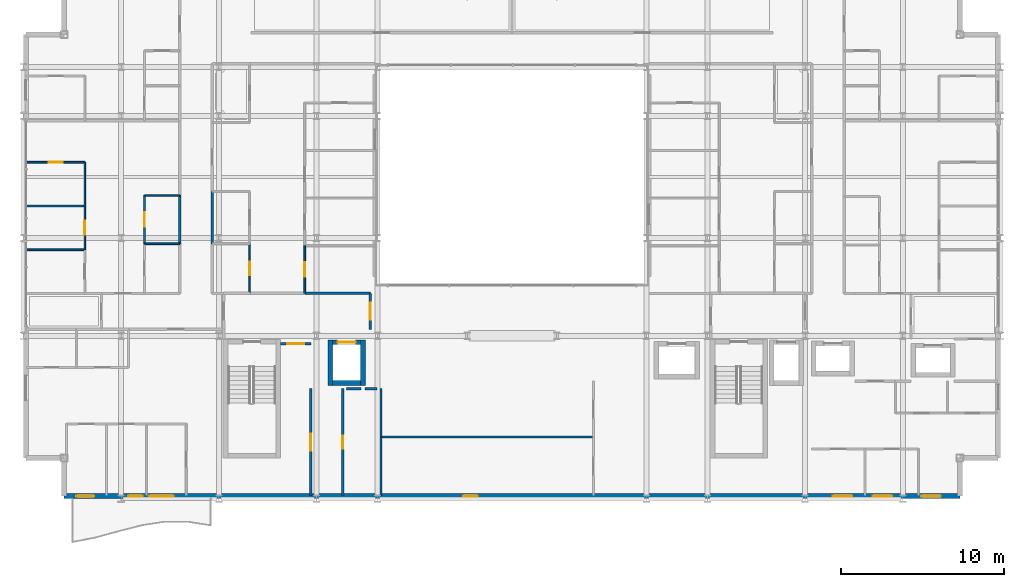
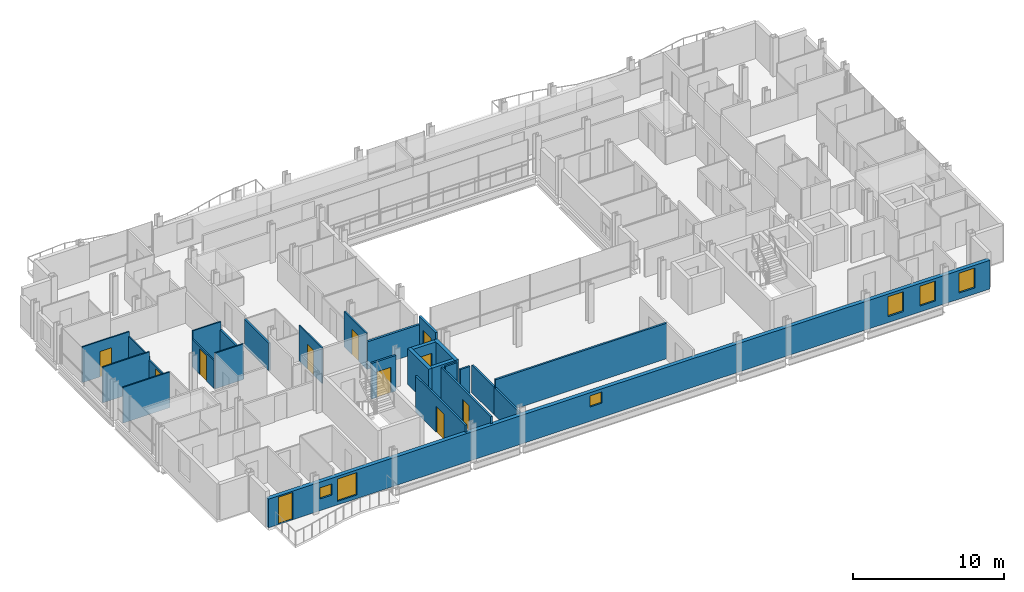
# One storey, part 32 of 41: 27 walls, 11 doors, 6 windows, 17 openings.
"""IFC4 building model written with IfcOpenShell, lengths in metres."""

from ifc_helpers import new_model, si_unit, direction, frame, frame_2d, origin, place, context, subcontext, project, spatial, rectangle, extrude, material, layer, layer_set, type_object, element, fill, save


model = new_model("IFC4")

# Units and contexts
model_context = context("Model", 3, precision=1e-05, world=origin(), true_north=direction((0.0, 1.0)))
body_context = subcontext(model_context, "Body", "Model", "MODEL_VIEW")
ifc_project = project(units=[si_unit("LENGTHUNIT", "METRE"), si_unit("AREAUNIT", "SQUARE_METRE"), si_unit("VOLUMEUNIT", "CUBIC_METRE"), si_unit("PLANEANGLEUNIT", "RADIAN"), si_unit("MASSUNIT", "GRAM", prefix="KILO")], contexts=[model_context])

# Site, building, storey
site_placement = place(None, origin())
site = spatial("IfcSite", under=ifc_project, at=site_placement, CompositionType="ELEMENT")
building_placement = place(site_placement, origin())
building = spatial("IfcBuilding", under=site, at=building_placement, Name="Brevholm Reach", CompositionType="ELEMENT")
storey_placement = place(building_placement, frame((0.0, 0.0, 74.5)))
storey = spatial("IfcBuildingStorey", under=building, at=storey_placement, Name="L21", CompositionType="ELEMENT", Elevation=74.5)

# Walls
ifc_material_1 = material(Name="Concrete C50/60", Category="concrete")
ifc_layer_1 = layer(ifc_material_1, 0.280029296875)
ifc_layer_set_1 = layer_set([ifc_layer_1], Name="Concrete C50/60")
wall_type_1 = type_object("IfcWallType", Name="WAL-COR-280", PredefinedType="SHEAR", material=ifc_layer_set_1)
for number, where, z_axis, x_axis, name in (
    (1, (18.85009765625, 6.9599609375, 0.0), (0.0, 0.0, 1.0), (0.0, 1.0, 0.0), "L21 Lift FFL-1 Shaft Wall W"),
    (2, (20.85009765625, 6.9599609375, 0.0), (0.0, 0.0, 1.0), (0.0, 1.0, 0.0), "L21 Lift FFL-1 Shaft Wall E"),
):
    element("IfcWall", number, at=place(storey_placement, frame(where, z_axis=z_axis, x_axis=x_axis)), inside=storey, type_object=wall_type_1, Name=name, PredefinedType="SHEAR", context=body_context, shape_type="SweptSolid", body=[
        extrude(rectangle(XDim=2.780029296875, YDim=0.280029296875, at=frame_2d((1.39013671875, 0.0))), origin(), (0.0, 0.0, 1.0), 2.8701171875),
    ])
wall_1_placement = place(storey_placement, frame((18.989990234375, 7.10009765625, 0.0), z_axis=(0.0, 0.0, 1.0), x_axis=(1.0, 0.0, 0.0)))
element("IfcWall", 3, at=wall_1_placement, inside=storey, type_object=wall_type_1, Name="L21 Lift FFL-1 Shaft Wall S", PredefinedType="SHEAR", context=body_context, shape_type="SweptSolid", body=[
    extrude(rectangle(XDim=1.719970703125, YDim=0.280029296875, at=frame_2d((0.85986328125, 0.0))), origin(), (0.0, 0.0, 1.0), 2.8701171875),
])

# Wall, opening, door
wall_2_placement = place(storey_placement, frame((18.989990234375, 9.60009765625, 0.0), z_axis=(0.0, 0.0, 1.0), x_axis=(1.0, 0.0, 0.0)))
wall_2 = element("IfcWall", 4, at=wall_2_placement, inside=storey, type_object=wall_type_1, Name="L21 Lift FFL-1 Shaft Wall N", PredefinedType="SHEAR", context=body_context, shape_type="SweptSolid", body=[
    extrude(rectangle(XDim=1.719970703125, YDim=0.280029296875, at=frame_2d((0.85986328125, 0.0))), origin(), (0.0, 0.0, 1.0), 2.8701171875),
])
opening_1_placement = place(wall_2_placement, frame((0.31005859375, 0.0, 0.0)))
opening_1 = element("IfcOpeningElement", 5, at=opening_1_placement, cuts=wall_2, Name="Opening LD-FFL-1", PredefinedType="OPENING", context=body_context, shape_type="SweptSolid", body=[
    extrude(rectangle(XDim=1.10009765625, YDim=2.06005859375, at=frame_2d((0.550048828125, 1.030029296875))), frame((0.0, 0.14990234375, 0.0), z_axis=(0.0, -1.0, 0.0), x_axis=(1.0, 0.0, 0.0)), (0.0, 0.0, 1.0), 0.300048828125),
])
ifc_material_2 = material(Name="Brushed Stainless Steel Fire-Rated Sliding Lift Door", Category="steel")
door_type_1 = type_object("IfcDoorType", Name="DOR-LFT-1100", OperationType="NOTDEFINED", PredefinedType="DOOR", material=ifc_material_2)
door_1_placement = place(opening_1_placement, origin())
door_1 = element("IfcDoor", 6, at=door_1_placement, inside=storey, type_object=door_type_1, Name="L21 Lift FFL-1 Sliding Landing Door", OperationType="SLIDING_TO_LEFT", OverallHeight=2.06005859375, OverallWidth=1.10009765625, PredefinedType="DOOR", context=body_context, shape_type="SweptSolid", body=[
    extrude(rectangle(XDim=1.10009765625, YDim=2.06005859375, at=frame_2d((0.550048828125, 1.030029296875))), frame((0.0, 0.02490234375, 0.0), z_axis=(0.0, -1.0, 0.0), x_axis=(1.0, 0.0, 0.0)), (0.0, 0.0, 1.0), 0.050048828125),
])
fill(opening_1, door_1)

# Wall, openings, door, windows
ifc_material_3 = material(Name="Concrete C40/50", Category="concrete")
ifc_layer_2 = layer(ifc_material_3, 0.300048828125)
ifc_layer_set_2 = layer_set([ifc_layer_2], Name="Concrete C40/50")
wall_type_2 = type_object("IfcWallType", Name="WAL-EXT-300", PredefinedType="STANDARD", material=ifc_layer_set_2)
wall_3_placement = place(storey_placement, frame((2.5, 0.14990234375, 0.0), z_axis=(0.0, 0.0, 1.0), x_axis=(1.0, 0.0, 0.0)))
wall_3 = element("IfcWall", 7, at=wall_3_placement, inside=storey, type_object=wall_type_2, Name="L21 Facade Wall WAL-L21-S", PredefinedType="STANDARD", context=body_context, shape_type="SweptSolid", body=[
    extrude(rectangle(XDim=55.0, YDim=0.300048828125, at=frame_2d((27.5, 0.0))), origin(), (0.0, 0.0, 1.0), 2.305419921875),
])
opening_2_placement = place(wall_3_placement, frame((0.75, 0.0, 0.0)))
opening_2 = element("IfcOpeningElement", 8, at=opening_2_placement, cuts=wall_3, Name="Opening BD-01", PredefinedType="OPENING", context=body_context, shape_type="SweptSolid", body=[
    extrude(rectangle(XDim=1.10009765625, YDim=2.199951171875, at=frame_2d((0.550048828125, 1.10009765625))), frame((0.0, 0.159912109375, 0.0), z_axis=(0.0, -1.0, 0.0), x_axis=(1.0, 0.0, 0.0)), (0.0, 0.0, 1.0), 0.320068359375),
])
opening_3_placement = place(wall_3_placement, frame((5.22998046875, 0.0, 0.284912109375)))
opening_3 = element("IfcOpeningElement", 9, at=opening_3_placement, cuts=wall_3, Name="Opening WN-05", PredefinedType="OPENING", context=body_context, shape_type="SweptSolid", body=[
    extrude(rectangle(XDim=1.5, YDim=1.800048828125, at=frame_2d((0.75, 0.89990234375))), frame((0.0, 0.159912109375, 0.0), z_axis=(0.0, -1.0, 0.0), x_axis=(1.0, 0.0, 0.0)), (0.0, 0.0, 1.0), 0.320068359375),
])
opening_4_placement = place(wall_3_placement, frame((24.5, 0.0, 1.14990234375)))
opening_4 = element("IfcOpeningElement", 10, at=opening_4_placement, cuts=wall_3, Name="Opening WN-09", PredefinedType="OPENING", context=body_context, shape_type="SweptSolid", body=[
    extrude(rectangle(XDim=0.89990234375, YDim=0.89990234375, at=frame_2d((0.449951171875, 0.449951171875))), frame((0.0, 0.159912109375, 0.0), z_axis=(0.0, -1.0, 0.0), x_axis=(1.0, 0.0, 0.0)), (0.0, 0.0, 1.0), 0.320068359375),
])
opening_5_placement = place(wall_3_placement, frame((47.199951171875, 0.0, 0.485107421875)))
opening_5 = element("IfcOpeningElement", 11, at=opening_5_placement, cuts=wall_3, Name="Opening WN-08", PredefinedType="OPENING", context=body_context, shape_type="SweptSolid", body=[
    extrude(rectangle(XDim=1.199951171875, YDim=1.60009765625, at=frame_2d((0.60009765625, 0.800048828125))), frame((0.0, 0.159912109375, 0.0), z_axis=(0.0, -1.0, 0.0), x_axis=(1.0, 0.0, 0.0)), (0.0, 0.0, 1.0), 0.320068359375),
])
opening_6_placement = place(wall_3_placement, frame((52.6298828125, 0.0, 0.485107421875)))
opening_6 = element("IfcOpeningElement", 12, at=opening_6_placement, cuts=wall_3, Name="Opening WN-08", PredefinedType="OPENING", context=body_context, shape_type="SweptSolid", body=[
    extrude(rectangle(XDim=1.199951171875, YDim=1.60009765625, at=frame_2d((0.60009765625, 0.800048828125))), frame((0.0, 0.159912109375, 0.0), z_axis=(0.0, -1.0, 0.0), x_axis=(1.0, 0.0, 0.0)), (0.0, 0.0, 1.0), 0.320068359375),
])
opening_7_placement = place(wall_3_placement, frame((3.923828125, 0.0, 0.949951171875)))
opening_7 = element("IfcOpeningElement", 13, at=opening_7_placement, cuts=wall_3, Name="Opening WN-09", PredefinedType="OPENING", context=body_context, shape_type="SweptSolid", body=[
    extrude(rectangle(XDim=0.89990234375, YDim=0.89990234375, at=frame_2d((0.449951171875, 0.449951171875))), frame((0.0, 0.159912109375, 0.0), z_axis=(0.0, -1.0, 0.0), x_axis=(1.0, 0.0, 0.0)), (0.0, 0.0, 1.0), 0.320068359375),
])
opening_8_placement = place(wall_3_placement, frame((49.638671875, 0.0, 0.485595703125)))
opening_8 = element("IfcOpeningElement", 14, at=opening_8_placement, cuts=wall_3, Name="Opening WN-08", PredefinedType="OPENING", context=body_context, shape_type="SweptSolid", body=[
    extrude(rectangle(XDim=1.199951171875, YDim=1.60009765625, at=frame_2d((0.60009765625, 0.800048828125))), frame((0.0, 0.159912109375, 0.0), z_axis=(0.0, -1.0, 0.0), x_axis=(1.0, 0.0, 0.0)), (0.0, 0.0, 1.0), 0.320068359375),
])
ifc_material_4 = material(Name="Dark Anodised Aluminium and Triple-Glazed Glass", Category="aluminium")
door_type_2 = type_object("IfcDoorType", Name="DOR-BALC-1100", OperationType="NOTDEFINED", PredefinedType="DOOR", material=ifc_material_4)
door_2_placement = place(opening_2_placement, origin())
door_2 = element("IfcDoor", 15, at=door_2_placement, inside=storey, type_object=door_type_2, Name="L21 Exterior Door DOR-L21-BL-SW", OperationType="SINGLE_SWING_LEFT", OverallHeight=2.199951171875, OverallWidth=1.10009765625, PredefinedType="DOOR", context=body_context, shape_type="SweptSolid", body=[
    extrude(rectangle(XDim=1.10009765625, YDim=2.199951171875, at=frame_2d((0.550048828125, 1.10009765625))), frame((0.0, 0.02490234375, 0.0), z_axis=(0.0, -1.0, 0.0), x_axis=(1.0, 0.0, 0.0)), (0.0, 0.0, 1.0), 0.050048828125),
])
fill(opening_2, door_2)
ifc_material_5 = material(Name="Dark Anodised Aluminium and Solar-Control IGU Glass", Category="aluminium")
window_type_1 = type_object("IfcWindowType", Name="WIN-POR-0900", PartitioningType="SINGLE_PANEL", PredefinedType="WINDOW", material=ifc_material_5)
window_1_placement = place(opening_4_placement, origin())
window_1 = element("IfcWindow", 16, at=window_1_placement, inside=storey, type_object=window_type_1, Name="L21 Window WIN-L21-S-POR", OverallHeight=0.89990234375, OverallWidth=0.89990234375, PartitioningType="SINGLE_PANEL", PredefinedType="WINDOW", context=body_context, shape_type="SweptSolid", body=[
    extrude(rectangle(XDim=0.89990234375, YDim=0.89990234375, at=frame_2d((0.449951171875, 0.449951171875))), frame((0.0, 0.030029296875, 0.0), z_axis=(0.0, -1.0, 0.0), x_axis=(1.0, 0.0, 0.0)), (0.0, 0.0, 1.0), 0.06005859375),
])
fill(opening_4, window_1)
window_2_placement = place(opening_7_placement, origin())
window_2 = element("IfcWindow", 17, at=window_2_placement, inside=storey, type_object=window_type_1, Name="L21 Bedroom Window 021", OverallHeight=0.89990234375, OverallWidth=0.89990234375, PartitioningType="SINGLE_PANEL", PredefinedType="WINDOW", context=body_context, shape_type="SweptSolid", body=[
    extrude(rectangle(XDim=0.89990234375, YDim=0.89990234375, at=frame_2d((0.449951171875, 0.449951171875))), frame((0.0, 0.030029296875, 0.0), z_axis=(0.0, -1.0, 0.0), x_axis=(1.0, 0.0, 0.0)), (0.0, 0.0, 1.0), 0.06005859375),
])
fill(opening_7, window_2)
ifc_material_6 = material(Name="Dark Anodised Aluminium and Solar-Control IGU Glass", Category="aluminium")
window_type_2 = type_object("IfcWindowType", Name="WIN-RES-1200", PartitioningType="SINGLE_PANEL", PredefinedType="WINDOW", material=ifc_material_6)
window_3_placement = place(opening_5_placement, origin())
window_3 = element("IfcWindow", 18, at=window_3_placement, inside=storey, type_object=window_type_2, Name="L21 Window WIN-L21-S-E1", OverallHeight=1.60009765625, OverallWidth=1.199951171875, PartitioningType="SINGLE_PANEL", PredefinedType="WINDOW", context=body_context, shape_type="SweptSolid", body=[
    extrude(rectangle(XDim=1.199951171875, YDim=1.60009765625, at=frame_2d((0.60009765625, 0.800048828125))), frame((0.0, 0.030029296875, 0.0), z_axis=(0.0, -1.0, 0.0), x_axis=(1.0, 0.0, 0.0)), (0.0, 0.0, 1.0), 0.06005859375),
])
fill(opening_5, window_3)
window_4_placement = place(opening_6_placement, origin())
window_4 = element("IfcWindow", 19, at=window_4_placement, inside=storey, type_object=window_type_2, Name="L21 Window WIN-L21-S-E2", OverallHeight=1.60009765625, OverallWidth=1.199951171875, PartitioningType="SINGLE_PANEL", PredefinedType="WINDOW", context=body_context, shape_type="SweptSolid", body=[
    extrude(rectangle(XDim=1.199951171875, YDim=1.60009765625, at=frame_2d((0.60009765625, 0.800048828125))), frame((0.0, 0.030029296875, 0.0), z_axis=(0.0, -1.0, 0.0), x_axis=(1.0, 0.0, 0.0)), (0.0, 0.0, 1.0), 0.06005859375),
])
fill(opening_6, window_4)
window_5_placement = place(opening_8_placement, origin())
window_5 = element("IfcWindow", 20, at=window_5_placement, inside=storey, type_object=window_type_2, Name="L21 Bedroom Window 022", OverallHeight=1.60009765625, OverallWidth=1.199951171875, PartitioningType="SINGLE_PANEL", PredefinedType="WINDOW", context=body_context, shape_type="SweptSolid", body=[
    extrude(rectangle(XDim=1.199951171875, YDim=1.60009765625, at=frame_2d((0.60009765625, 0.800048828125))), frame((0.0, 0.030029296875, 0.0), z_axis=(0.0, -1.0, 0.0), x_axis=(1.0, 0.0, 0.0)), (0.0, 0.0, 1.0), 0.06005859375),
])
fill(opening_8, window_5)
ifc_material_7 = material(Name="Dark Anodised Aluminium and Solar-Control IGU Glass", Category="aluminium")
window_type_3 = type_object("IfcWindowType", Name="WIN-RES-1500", PartitioningType="SINGLE_PANEL", PredefinedType="WINDOW", material=ifc_material_7)
window_6_placement = place(opening_3_placement, origin())
window_6 = element("IfcWindow", 21, at=window_6_placement, inside=storey, type_object=window_type_3, Name="L21 Window WIN-L21-S-W1", OverallHeight=1.800048828125, OverallWidth=1.5, PartitioningType="SINGLE_PANEL", PredefinedType="WINDOW", context=body_context, shape_type="SweptSolid", body=[
    extrude(rectangle(XDim=1.5, YDim=1.800048828125, at=frame_2d((0.75, 0.89990234375))), frame((0.0, 0.030029296875, 0.0), z_axis=(0.0, -1.0, 0.0), x_axis=(1.0, 0.0, 0.0)), (0.0, 0.0, 1.0), 0.06005859375),
])
fill(opening_3, window_6)

# Walls
ifc_material_8 = material(Name="Moisture-Resistant Acoustic Gypsum Stud Partition 100 mm", Category="gypsum")
ifc_layer_3 = layer(ifc_material_8, 0.10009765625)
ifc_layer_set_3 = layer_set([ifc_layer_3], Name="Moisture-Resistant Acoustic Gypsum Stud Partition 100 mm")
wall_type_3 = type_object("IfcWallType", Name="WAL-PRT-100", PredefinedType="PARTITIONING", material=ifc_layer_set_3)
for number, where, z_axis, x_axis, name in (
    (22, (7.43798828125, 15.64990234375, 0.0), (0.0, 0.0, 1.0), (1.0, 0.0, 0.0), "L21 Internal Partition 087"),
    (23, (7.43798828125, 18.617919921875, 0.0), (0.0, 0.0, 1.0), (1.0, 0.0, 0.0), "L21 Internal Partition 089"),
):
    element("IfcWall", number, at=place(storey_placement, frame(where, z_axis=z_axis, x_axis=x_axis)), inside=storey, type_object=wall_type_3, Name=name, PredefinedType="PARTITIONING", context=body_context, shape_type="SweptSolid", body=[
        extrude(rectangle(XDim=2.157958984375, YDim=0.10009765625, at=frame_2d((1.0791015625, 0.0))), origin(), (0.0, 0.0, 1.0), 2.8701171875),
    ])

# Wall, opening, door
wall_4_placement = place(storey_placement, frame((7.43798828125, 15.654052734375, 0.0), z_axis=(0.0, 0.0, 1.0), x_axis=(0.0, 1.0, 0.0)))
wall_4 = element("IfcWall", 24, at=wall_4_placement, inside=storey, type_object=wall_type_3, Name="L21 Internal Partition 090", PredefinedType="PARTITIONING", context=body_context, shape_type="SweptSolid", body=[
    extrude(rectangle(XDim=2.9638671875, YDim=0.10009765625, at=frame_2d((1.48193359375, 0.0))), origin(), (0.0, 0.0, 1.0), 2.224853515625),
])
opening_9_placement = place(wall_4_placement, frame((1.0419921875, 0.0, 0.0)))
opening_9 = element("IfcOpeningElement", 25, at=opening_9_placement, cuts=wall_4, Name="Opening ID-01", PredefinedType="OPENING", context=body_context, shape_type="SweptSolid", body=[
    extrude(rectangle(XDim=0.8798828125, YDim=2.0400390625, at=frame_2d((0.43994140625, 1.02001953125))), frame((0.0, 0.06005859375, 0.0), z_axis=(0.0, -1.0, 0.0), x_axis=(1.0, 0.0, 0.0)), (0.0, 0.0, 1.0), 0.1201171875),
])
ifc_material_9 = material(Name="Lacquered Ash Solid-Core Acoustic Internal Door", Category="timber")
door_type_3 = type_object("IfcDoorType", Name="DOR-INT-880", OperationType="NOTDEFINED", PredefinedType="DOOR", material=ifc_material_9)
door_3_placement = place(opening_9_placement, origin())
door_3 = element("IfcDoor", 26, at=door_3_placement, inside=storey, type_object=door_type_3, Name="L21 Internal Door 031", OperationType="SINGLE_SWING_LEFT", OverallHeight=2.0400390625, OverallWidth=0.8798828125, PredefinedType="DOOR", context=body_context, shape_type="SweptSolid", body=[
    extrude(rectangle(XDim=0.8798828125, YDim=2.0400390625, at=frame_2d((0.43994140625, 1.02001953125))), frame((0.0, 0.02490234375, 0.0), z_axis=(0.0, -1.0, 0.0), x_axis=(1.0, 0.0, 0.0)), (0.0, 0.0, 1.0), 0.050048828125),
])
fill(opening_9, door_3)

# Walls
for number, where, z_axis, x_axis, name in (
    (27, (0.199951171875, 15.284912109375, 0.0), (0.0, 0.0, 1.0), (1.0, 0.0, 0.0), "L21 Internal Partition 091"),
    (28, (0.199951171875, 17.969970703125, 0.0), (0.0, 0.0, 1.0), (1.0, 0.0, 0.0), "L21 Internal Partition 093"),
):
    element("IfcWall", number, at=place(storey_placement, frame(where, z_axis=z_axis, x_axis=x_axis)), inside=storey, type_object=wall_type_3, Name=name, PredefinedType="PARTITIONING", context=body_context, shape_type="SweptSolid", body=[
        extrude(rectangle(XDim=3.572021484375, YDim=0.10009765625, at=frame_2d((1.7861328125, 0.0))), origin(), (0.0, 0.0, 1.0), 2.8701171875),
    ])

# Wall, opening, door
wall_5_placement = place(storey_placement, frame((3.77197265625, 15.2890625, 0.0), z_axis=(0.0, 0.0, 1.0), x_axis=(0.0, 1.0, 0.0)))
wall_5 = element("IfcWall", 29, at=wall_5_placement, inside=storey, type_object=wall_type_3, Name="L21 Internal Partition 094", PredefinedType="PARTITIONING", context=body_context, shape_type="SweptSolid", body=[
    extrude(rectangle(XDim=2.680908203125, YDim=0.10009765625, at=frame_2d((1.34033203125, 0.0))), origin(), (0.0, 0.0, 1.0), 2.224853515625),
])
opening_10_placement = place(wall_5_placement, frame((0.900390625, 0.0, 0.0)))
opening_10 = element("IfcOpeningElement", 30, at=opening_10_placement, cuts=wall_5, Name="Opening ID-01", PredefinedType="OPENING", context=body_context, shape_type="SweptSolid", body=[
    extrude(rectangle(XDim=0.8798828125, YDim=2.0400390625, at=frame_2d((0.43994140625, 1.02001953125))), frame((0.0, 0.06005859375, 0.0), z_axis=(0.0, -1.0, 0.0), x_axis=(1.0, 0.0, 0.0)), (0.0, 0.0, 1.0), 0.1201171875),
])
door_4_placement = place(opening_10_placement, origin())
door_4 = element("IfcDoor", 31, at=door_4_placement, inside=storey, type_object=door_type_3, Name="L21 Internal Door 033", OperationType="SINGLE_SWING_LEFT", OverallHeight=2.0400390625, OverallWidth=0.8798828125, PredefinedType="DOOR", context=body_context, shape_type="SweptSolid", body=[
    extrude(rectangle(XDim=0.8798828125, YDim=2.0400390625, at=frame_2d((0.43994140625, 1.02001953125))), frame((0.0, 0.02490234375, 0.0), z_axis=(0.0, -1.0, 0.0), x_axis=(1.0, 0.0, 0.0)), (0.0, 0.0, 1.0), 0.050048828125),
])
fill(opening_10, door_4)

# Wall
wall_6_placement = place(storey_placement, frame((3.77197265625, 17.97412109375, 0.0), z_axis=(0.0, 0.0, 1.0), x_axis=(0.0, 1.0, 0.0)))
element("IfcWall", 32, at=wall_6_placement, inside=storey, type_object=wall_type_3, Name="L21 Internal Partition 095", PredefinedType="PARTITIONING", context=body_context, shape_type="SweptSolid", body=[
    extrude(rectangle(XDim=2.680908203125, YDim=0.10009765625, at=frame_2d((1.34033203125, 0.0))), origin(), (0.0, 0.0, 1.0), 2.489990234375),
])

# Wall, opening, door
wall_7_placement = place(storey_placement, frame((0.199951171875, 20.655029296875, 0.0), z_axis=(0.0, 0.0, 1.0), x_axis=(1.0, 0.0, 0.0)))
wall_7 = element("IfcWall", 33, at=wall_7_placement, inside=storey, type_object=wall_type_3, Name="L21 Internal Partition 096", PredefinedType="PARTITIONING", context=body_context, shape_type="SweptSolid", body=[
    extrude(rectangle(XDim=3.572021484375, YDim=0.10009765625, at=frame_2d((1.7861328125, 0.0))), origin(), (0.0, 0.0, 1.0), 2.8701171875),
])
opening_11_placement = place(wall_7_placement, frame((1.345947265625, 0.0, 0.0)))
opening_11 = element("IfcOpeningElement", 34, at=opening_11_placement, cuts=wall_7, Name="Opening ID-01", PredefinedType="OPENING", context=body_context, shape_type="SweptSolid", body=[
    extrude(rectangle(XDim=0.8798828125, YDim=2.0400390625, at=frame_2d((0.43994140625, 1.02001953125))), frame((0.0, 0.06005859375, 0.0), z_axis=(0.0, -1.0, 0.0), x_axis=(1.0, 0.0, 0.0)), (0.0, 0.0, 1.0), 0.1201171875),
])
door_5_placement = place(opening_11_placement, origin())
door_5 = element("IfcDoor", 35, at=door_5_placement, inside=storey, type_object=door_type_3, Name="L21 Internal Door 034", OperationType="SINGLE_SWING_RIGHT", OverallHeight=2.0400390625, OverallWidth=0.8798828125, PredefinedType="DOOR", context=body_context, shape_type="SweptSolid", body=[
    extrude(rectangle(XDim=0.8798828125, YDim=2.0400390625, at=frame_2d((0.43994140625, 1.02001953125))), frame((0.0, 0.02490234375, 0.0), z_axis=(0.0, -1.0, 0.0), x_axis=(1.0, 0.0, 0.0)), (0.0, 0.0, 1.0), 0.050048828125),
])
fill(opening_11, door_5)

wall_8_placement = place(storey_placement, frame((13.888916015625, 12.60400390625, 0.0), z_axis=(0.0, 0.0, 1.0), x_axis=(0.0, 1.0, 0.0)))
wall_8 = element("IfcWall", 36, at=wall_8_placement, inside=storey, type_object=wall_type_3, Name="L21 Internal Partition 107", PredefinedType="PARTITIONING", context=body_context, shape_type="SweptSolid", body=[
    extrude(rectangle(XDim=3.0458984375, YDim=0.10009765625, at=frame_2d((1.52294921875, 0.0))), origin(), (0.0, 0.0, 1.0), 2.8701171875),
])
opening_12_placement = place(wall_8_placement, frame((1.113037109375, 0.0, 0.0)))
opening_12 = element("IfcOpeningElement", 37, at=opening_12_placement, cuts=wall_8, Name="Opening ID-03", PredefinedType="OPENING", context=body_context, shape_type="SweptSolid", body=[
    extrude(rectangle(XDim=0.820068359375, YDim=2.02001953125, at=frame_2d((0.41015625, 1.010009765625))), frame((0.0, 0.06005859375, 0.0), z_axis=(0.0, -1.0, 0.0), x_axis=(1.0, 0.0, 0.0)), (0.0, 0.0, 1.0), 0.1201171875),
])
ifc_material_10 = material(Name="Moisture-Resistant Painted Timber Internal Bathroom Door", Category="wood")
door_type_4 = type_object("IfcDoorType", Name="DOR-BATH-820", OperationType="NOTDEFINED", PredefinedType="DOOR", material=ifc_material_10)
door_6_placement = place(opening_12_placement, origin())
door_6 = element("IfcDoor", 38, at=door_6_placement, inside=storey, type_object=door_type_4, Name="L21 Internal Door 038", OperationType="SINGLE_SWING_RIGHT", OverallHeight=2.02001953125, OverallWidth=0.820068359375, PredefinedType="DOOR", context=body_context, shape_type="SweptSolid", body=[
    extrude(rectangle(XDim=0.820068359375, YDim=2.02001953125, at=frame_2d((0.41015625, 1.010009765625))), frame((0.0, 0.02490234375, 0.0), z_axis=(0.0, -1.0, 0.0), x_axis=(1.0, 0.0, 0.0)), (0.0, 0.0, 1.0), 0.050048828125),
])
fill(opening_12, door_6)

wall_9_placement = place(storey_placement, frame((17.27099609375, 12.60400390625, 0.0), z_axis=(0.0, 0.0, 1.0), x_axis=(0.0, 1.0, 0.0)))
wall_9 = element("IfcWall", 39, at=wall_9_placement, inside=storey, type_object=wall_type_3, Name="L21 Internal Partition 113", PredefinedType="PARTITIONING", context=body_context, shape_type="SweptSolid", body=[
    extrude(rectangle(XDim=2.9208984375, YDim=0.10009765625, at=frame_2d((1.46044921875, 0.0))), origin(), (0.0, 0.0, 1.0), 2.8701171875),
])
opening_13_placement = place(wall_9_placement, frame((1.0205078125, 0.0, 0.0)))
opening_13 = element("IfcOpeningElement", 40, at=opening_13_placement, cuts=wall_9, Name="Opening ID-01", PredefinedType="OPENING", context=body_context, shape_type="SweptSolid", body=[
    extrude(rectangle(XDim=0.8798828125, YDim=2.0400390625, at=frame_2d((0.43994140625, 1.02001953125))), frame((0.0, 0.06005859375, 0.0), z_axis=(0.0, -1.0, 0.0), x_axis=(1.0, 0.0, 0.0)), (0.0, 0.0, 1.0), 0.1201171875),
])
door_7_placement = place(opening_13_placement, origin())
door_7 = element("IfcDoor", 41, at=door_7_placement, inside=storey, type_object=door_type_3, Name="L21 Internal Door 041", OperationType="SINGLE_SWING_LEFT", OverallHeight=2.0400390625, OverallWidth=0.8798828125, PredefinedType="DOOR", context=body_context, shape_type="SweptSolid", body=[
    extrude(rectangle(XDim=0.8798828125, YDim=2.0400390625, at=frame_2d((0.43994140625, 1.02001953125))), frame((0.0, 0.02490234375, 0.0), z_axis=(0.0, -1.0, 0.0), x_axis=(1.0, 0.0, 0.0)), (0.0, 0.0, 1.0), 0.050048828125),
])
fill(opening_13, door_7)

# Walls
ifc_material_11 = material(Name="Twin-Stud Acoustic Fire-Rated Gypsum Partition 140 mm", Category="gypsum")
ifc_layer_4 = layer(ifc_material_11, 0.139892578125)
ifc_layer_set_4 = layer_set([ifc_layer_4], Name="Twin-Stud Acoustic Fire-Rated Gypsum Partition 140 mm")
wall_type_4 = type_object("IfcWallType", Name="WAL-PRT-140", PredefinedType="PARTITIONING", material=ifc_layer_set_4)
wall_10_placement = place(storey_placement, frame((21.949951171875, 3.780029296875, 0.0), z_axis=(0.0, 0.0, 1.0), x_axis=(1.0, 0.0, 0.0)))
element("IfcWall", 42, at=wall_10_placement, inside=storey, type_object=wall_type_4, Name="L21 Internal Partition 003", PredefinedType="PARTITIONING", context=body_context, shape_type="SweptSolid", body=[
    extrude(rectangle(XDim=13.046142578125, YDim=0.139892578125, at=frame_2d((6.52294921875, 0.0))), origin(), (0.0, 0.0, 1.0), 2.8701171875),
])
wall_11_placement = place(storey_placement, frame((21.949951171875, 0.179931640625, 0.0), z_axis=(0.0, 0.0, 1.0), x_axis=(0.0, 1.0, 0.0)))
element("IfcWall", 43, at=wall_11_placement, inside=storey, type_object=wall_type_4, Name="L21 Internal Partition 004", PredefinedType="PARTITIONING", context=body_context, shape_type="SweptSolid", body=[
    extrude(rectangle(XDim=3.60009765625, YDim=0.139892578125, at=frame_2d((1.800048828125, 0.0))), origin(), (0.0, 0.0, 1.0), 2.224853515625),
])
wall_12_placement = place(storey_placement, frame((21.949951171875, 3.783935546875, 0.0), z_axis=(0.0, 0.0, 1.0), x_axis=(0.0, 1.0, 0.0)))
element("IfcWall", 44, at=wall_12_placement, inside=storey, type_object=wall_type_4, Name="L21 Internal Partition 005", PredefinedType="PARTITIONING", context=body_context, shape_type="SweptSolid", body=[
    extrude(rectangle(XDim=2.977294921875, YDim=0.139892578125, at=frame_2d((1.48876953125, 0.0))), origin(), (0.0, 0.0, 1.0), 2.224853515625),
])

# Wall, opening, door
wall_13_placement = place(storey_placement, frame((17.64990234375, 0.179931640625, 0.0), z_axis=(0.0, 0.0, 1.0), x_axis=(0.0, 1.0, 0.0)))
wall_13 = element("IfcWall", 45, at=wall_13_placement, inside=storey, type_object=wall_type_4, Name="L21 Internal Partition 006", PredefinedType="PARTITIONING", context=body_context, shape_type="SweptSolid", body=[
    extrude(rectangle(XDim=6.581298828125, YDim=0.139892578125, at=frame_2d((3.29052734375, 0.0))), origin(), (0.0, 0.0, 1.0), 2.8701171875),
])
opening_14_placement = place(wall_13_placement, frame((2.765625, 0.0, 0.0)))
opening_14 = element("IfcOpeningElement", 46, at=opening_14_placement, cuts=wall_13, Name="Opening FD-01", PredefinedType="OPENING", context=body_context, shape_type="SweptSolid", body=[
    extrude(rectangle(XDim=1.050048828125, YDim=2.06005859375, at=frame_2d((0.52490234375, 1.030029296875))), frame((0.0, 0.079833984375, 0.0), z_axis=(0.0, -1.0, 0.0), x_axis=(1.0, 0.0, 0.0)), (0.0, 0.0, 1.0), 0.159912109375),
])
ifc_material_12 = material(Name="Hardwood-Lipped Steel-Core Fire and Smoke Door", Category="steel")
door_type_5 = type_object("IfcDoorType", Name="DOR-INT-FD60S", OperationType="NOTDEFINED", PredefinedType="DOOR", material=ifc_material_12)
door_8_placement = place(opening_14_placement, origin())
door_8 = element("IfcDoor", 47, at=door_8_placement, inside=storey, type_object=door_type_5, Name="L21 Internal Door 003", OperationType="SINGLE_SWING_LEFT", OverallHeight=2.06005859375, OverallWidth=1.050048828125, PredefinedType="DOOR", context=body_context, shape_type="SweptSolid", body=[
    extrude(rectangle(XDim=1.050048828125, YDim=2.06005859375, at=frame_2d((0.52490234375, 1.030029296875))), frame((0.0, 0.02490234375, 0.0), z_axis=(0.0, -1.0, 0.0), x_axis=(1.0, 0.0, 0.0)), (0.0, 0.0, 1.0), 0.050048828125),
])
fill(opening_14, door_8)

wall_14_placement = place(storey_placement, frame((19.60009765625, 0.179931640625, 0.0), z_axis=(0.0, 0.0, 1.0), x_axis=(0.0, 1.0, 0.0)))
wall_14 = element("IfcWall", 48, at=wall_14_placement, inside=storey, type_object=wall_type_4, Name="L21 Internal Partition 008", PredefinedType="PARTITIONING", context=body_context, shape_type="SweptSolid", body=[
    extrude(rectangle(XDim=6.570068359375, YDim=0.139892578125, at=frame_2d((3.28515625, 0.0))), origin(), (0.0, 0.0, 1.0), 2.8701171875),
])
opening_15_placement = place(wall_14_placement, frame((2.875, 0.0, 0.0)))
opening_15 = element("IfcOpeningElement", 49, at=opening_15_placement, cuts=wall_14, Name="Opening ID-02", PredefinedType="OPENING", context=body_context, shape_type="SweptSolid", body=[
    extrude(rectangle(XDim=0.820068359375, YDim=2.02001953125, at=frame_2d((0.41015625, 1.010009765625))), frame((0.0, 0.079833984375, 0.0), z_axis=(0.0, -1.0, 0.0), x_axis=(1.0, 0.0, 0.0)), (0.0, 0.0, 1.0), 0.159912109375),
])
ifc_material_13 = material(Name="Moisture-Resistant Painted Timber Fire-Rated Riser and Service Door", Category="wood")
door_type_6 = type_object("IfcDoorType", Name="DOR-SRV-820", OperationType="NOTDEFINED", PredefinedType="DOOR", material=ifc_material_13)
door_9_placement = place(opening_15_placement, origin())
door_9 = element("IfcDoor", 50, at=door_9_placement, inside=storey, type_object=door_type_6, Name="L21 Access Door 060", OperationType="SINGLE_SWING_RIGHT", OverallHeight=2.02001953125, OverallWidth=0.820068359375, PredefinedType="DOOR", context=body_context, shape_type="SweptSolid", body=[
    extrude(rectangle(XDim=0.820068359375, YDim=2.02001953125, at=frame_2d((0.41015625, 1.010009765625))), frame((0.0, 0.02490234375, 0.0), z_axis=(0.0, -1.0, 0.0), x_axis=(1.0, 0.0, 0.0)), (0.0, 0.0, 1.0), 0.050048828125),
])
fill(opening_15, door_9)

# Walls
wall_15_placement = place(storey_placement, frame((9.60009765625, 15.642578125, 0.0), z_axis=(0.0, 0.0, 1.0), x_axis=(0.0, 1.0, 0.0)))
element("IfcWall", 51, at=wall_15_placement, inside=storey, type_object=wall_type_4, Name="L21 Internal Partition 035", PredefinedType="PARTITIONING", context=body_context, shape_type="SweptSolid", body=[
    extrude(rectangle(XDim=2.98681640625, YDim=0.139892578125, at=frame_2d((1.493408203125, 0.0))), origin(), (0.0, 0.0, 1.0), 2.224853515625),
])
wall_16_placement = place(storey_placement, frame((11.60009765625, 15.642578125, 0.0), z_axis=(0.0, 0.0, 1.0), x_axis=(0.0, 1.0, 0.0)))
element("IfcWall", 52, at=wall_16_placement, inside=storey, type_object=wall_type_4, Name="L21 Internal Partition 041", PredefinedType="PARTITIONING", context=body_context, shape_type="SweptSolid", body=[
    extrude(rectangle(XDim=3.21875, YDim=0.139892578125, at=frame_2d((1.609375, 0.0))), origin(), (0.0, 0.0, 1.0), 2.224853515625),
])
wall_17_placement = place(storey_placement, frame((20.9658203125, 6.75, 0.0), z_axis=(0.0, 0.0, 1.0), x_axis=(1.0, 0.0, 0.0)))
element("IfcWall", 53, at=wall_17_placement, inside=storey, type_object=wall_type_4, Name="L21 Internal Partition 154", PredefinedType="PARTITIONING", context=body_context, shape_type="SweptSolid", body=[
    extrude(rectangle(XDim=0.744140625, YDim=0.139892578125, at=frame_2d((0.3720703125, 0.0))), origin(), (0.0, 0.0, 1.0), 2.224853515625),
])
wall_18_placement = place(storey_placement, frame((19.840087890625, 6.75, 0.0), z_axis=(0.0, 0.0, 1.0), x_axis=(1.0, 0.0, 0.0)))
element("IfcWall", 54, at=wall_18_placement, inside=storey, type_object=wall_type_4, Name="L21 Internal Partition 155", PredefinedType="PARTITIONING", context=body_context, shape_type="SweptSolid", body=[
    extrude(rectangle(XDim=0.89404296875, YDim=0.139892578125, at=frame_2d((0.447021484375, 0.0))), origin(), (0.0, 0.0, 1.0), 2.8701171875),
])

# Wall, opening, door
ifc_material_14 = material(Name="Twin-Frame Fire-Rated Gypsum Board and Mineral Wool 160 mm", Category="gypsum")
ifc_layer_5 = layer(ifc_material_14, 0.159912109375)
ifc_layer_set_5 = layer_set([ifc_layer_5], Name="Twin-Frame Fire-Rated Gypsum Board and Mineral Wool 160 mm")
wall_type_5 = type_object("IfcWallType", Name="WAL-PRT-160", PredefinedType="PARTITIONING", material=ifc_layer_set_5)
wall_19_placement = place(storey_placement, frame((15.800048828125, 9.5, 0.0), z_axis=(0.0, 0.0, 1.0), x_axis=(1.0, 0.0, 0.0)))
wall_19 = element("IfcWall", 55, at=wall_19_placement, inside=storey, type_object=wall_type_5, Name="L21 Internal Partition 007", PredefinedType="PARTITIONING", context=body_context, shape_type="SweptSolid", body=[
    extrude(rectangle(XDim=1.849853515625, YDim=0.159912109375, at=frame_2d((0.9248046875, 0.0))), origin(), (0.0, 0.0, 1.0), 2.8701171875),
])
opening_16_placement = place(wall_19_placement, frame((0.39990234375, 0.0, 0.0)))
opening_16 = element("IfcOpeningElement", 56, at=opening_16_placement, cuts=wall_19, Name="Opening FD-01", PredefinedType="OPENING", context=body_context, shape_type="SweptSolid", body=[
    extrude(rectangle(XDim=1.050048828125, YDim=2.06005859375, at=frame_2d((0.52490234375, 1.030029296875))), frame((0.0, 0.08984375, 0.0), z_axis=(0.0, -1.0, 0.0), x_axis=(1.0, 0.0, 0.0)), (0.0, 0.0, 1.0), 0.179931640625),
])
door_10_placement = place(opening_16_placement, origin())
door_10 = element("IfcDoor", 57, at=door_10_placement, inside=storey, type_object=door_type_5, Name="L21 Internal Door 004", OperationType="SINGLE_SWING_RIGHT", OverallHeight=2.06005859375, OverallWidth=1.050048828125, PredefinedType="DOOR", context=body_context, shape_type="SweptSolid", body=[
    extrude(rectangle(XDim=1.050048828125, YDim=2.06005859375, at=frame_2d((0.52490234375, 1.030029296875))), frame((0.0, 0.02490234375, 0.0), z_axis=(0.0, -1.0, 0.0), x_axis=(1.0, 0.0, 0.0)), (0.0, 0.0, 1.0), 0.050048828125),
])
fill(opening_16, door_10)

wall_20_placement = place(storey_placement, frame((21.300048828125, 10.388671875, 0.0), z_axis=(0.0, 0.0, 1.0), x_axis=(0.0, 1.0, 0.0)))
wall_20 = element("IfcWall", 58, at=wall_20_placement, inside=storey, type_object=wall_type_5, Name="L21 Internal Partition 015", PredefinedType="PARTITIONING", context=body_context, shape_type="SweptSolid", body=[
    extrude(rectangle(XDim=2.21142578125, YDim=0.159912109375, at=frame_2d((1.105712890625, 0.0))), origin(), (0.0, 0.0, 1.0), 2.8701171875),
])
opening_17_placement = place(wall_20_placement, frame((0.58056640625, 0.0, 0.0)))
opening_17 = element("IfcOpeningElement", 59, at=opening_17_placement, cuts=wall_20, Name="Opening FD-01", PredefinedType="OPENING", context=body_context, shape_type="SweptSolid", body=[
    extrude(rectangle(XDim=1.050048828125, YDim=2.06005859375, at=frame_2d((0.52490234375, 1.030029296875))), frame((0.0, 0.08984375, 0.0), z_axis=(0.0, -1.0, 0.0), x_axis=(1.0, 0.0, 0.0)), (0.0, 0.0, 1.0), 0.179931640625),
])
door_11_placement = place(opening_17_placement, origin())
door_11 = element("IfcDoor", 60, at=door_11_placement, inside=storey, type_object=door_type_5, Name="L21 Internal Door 009", OperationType="SINGLE_SWING_LEFT", OverallHeight=2.06005859375, OverallWidth=1.050048828125, PredefinedType="DOOR", context=body_context, shape_type="SweptSolid", body=[
    extrude(rectangle(XDim=1.050048828125, YDim=2.06005859375, at=frame_2d((0.52490234375, 1.030029296875))), frame((0.0, 0.02490234375, 0.0), z_axis=(0.0, -1.0, 0.0), x_axis=(1.0, 0.0, 0.0)), (0.0, 0.0, 1.0), 0.050048828125),
])
fill(opening_17, door_11)

# Wall
wall_21_placement = place(storey_placement, frame((17.259765625, 12.60009765625, 0.0), z_axis=(0.0, 0.0, 1.0), x_axis=(1.0, 0.0, 0.0)))
element("IfcWall", 61, at=wall_21_placement, inside=storey, type_object=wall_type_5, Name="L21 Internal Partition 018", PredefinedType="PARTITIONING", context=body_context, shape_type="SweptSolid", body=[
    extrude(rectangle(XDim=4.040283203125, YDim=0.159912109375, at=frame_2d((2.02001953125, 0.0))), origin(), (0.0, 0.0, 1.0), 2.224853515625),
])

save(model, "model.ifc")
